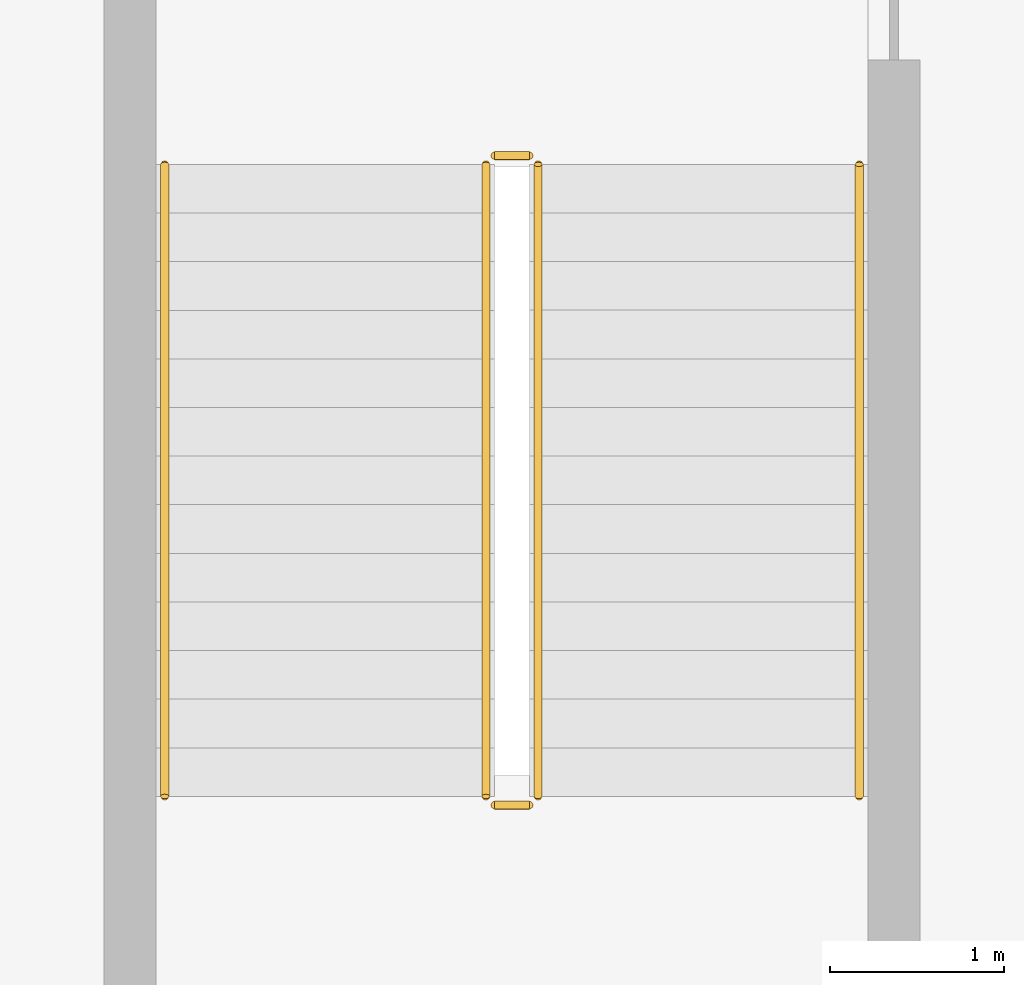
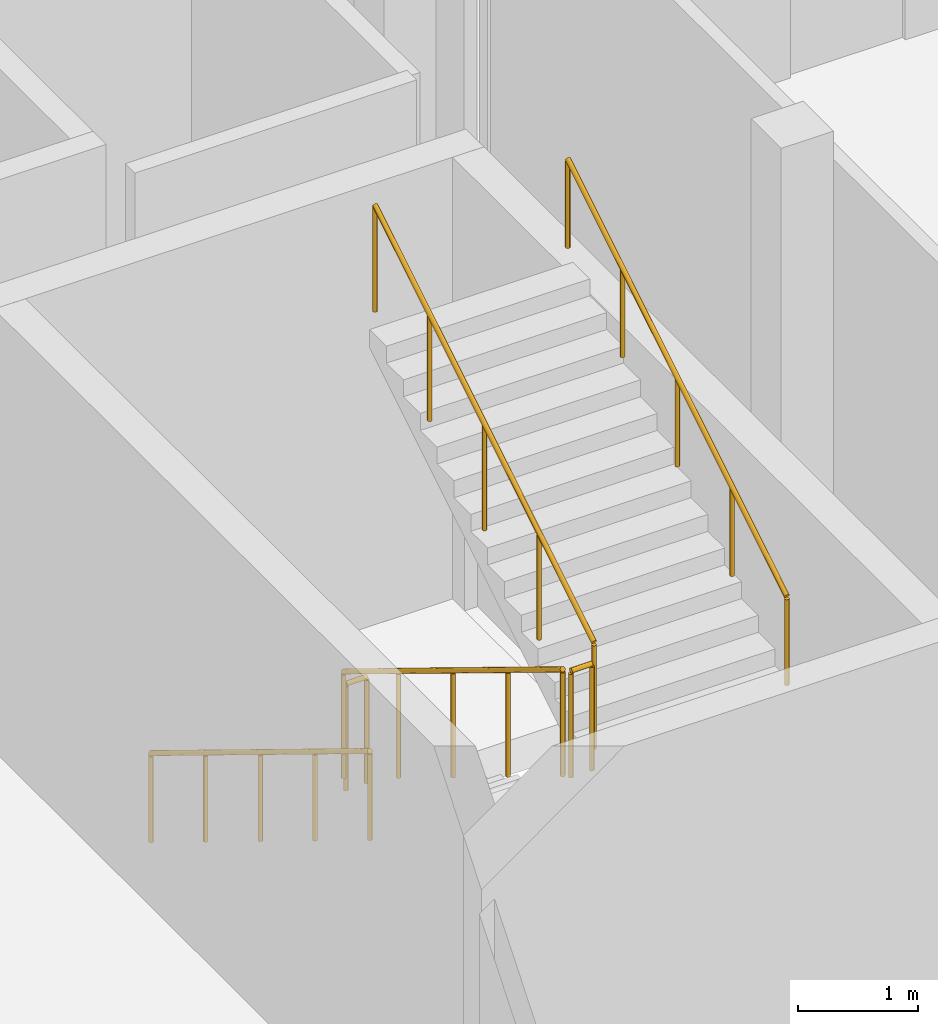
# One storey, part 167 of 177: 6 railings.
"""IFC4 building model written with IfcOpenShell, lengths in metres."""

import ifcopenshell
import ifcopenshell.guid

model = None  # the IFC model being written
_history = None  # IfcOwnerHistory: only IFC2X3 demands one
_inside = {}  # id of a spatial element -> (the spatial element, [elements in it])
_under = {}  # id of a project, library or spatial element -> (it, [spatial elements below it])
_declared = {}  # id of a project -> (the project, [libraries it declares])
_typed = {}  # id of a type object -> (the type object, [elements of that type])
_made_of = {}  # id of a material, layer set ... -> (it, [elements and type objects made of it])


def new_model(schema):
    """Start an empty IFC model of exactly this schema.

    Asked for "IFC4X3", IfcOpenShell would pick the latest addendum, in which some entities
    have other attributes; the version numbers below select the first issue.
    IFC2X3 requires an IfcOwnerHistory on every rooted entity: one is made here for all.
    """
    global model, _history
    if schema == "IFC4X3":
        model = ifcopenshell.file(schema_version=(4, 3, 0, 0))
    else:
        model = ifcopenshell.file(schema=schema)
    _inside.clear()
    _under.clear()
    _declared.clear()
    _typed.clear()
    _made_of.clear()
    _history = None
    if model.schema == "IFC2X3":
        org = make("IfcOrganization", Name="unknown")
        user = make(
            "IfcPersonAndOrganization",
            ThePerson=make("IfcPerson", FamilyName="unknown"),
            TheOrganization=org,
        )
        app = make(
            "IfcApplication",
            ApplicationDeveloper=org,
            Version="unknown",
            ApplicationFullName="unknown",
            ApplicationIdentifier="unknown",
        )
        _history = make(
            "IfcOwnerHistory",
            OwningUser=user,
            OwningApplication=app,
            ChangeAction="ADDED",
            CreationDate=0,
        )
    return model


def make(cls, **values):
    """One entity of the class cls with the attributes given. An attribute that is None is left unset."""
    return model.create_entity(
        cls, **{name: value for name, value in values.items() if value is not None}
    )


def rooted(cls, **values):
    """An entity with a GlobalId (a new one), such as an element, a storey or a relation."""
    return make(cls, GlobalId=ifcopenshell.guid.new(), OwnerHistory=_history, **values)


def si_unit(unit_type, name, prefix=None):
    """IfcSIUnit, for example si_unit("LENGTHUNIT", "METRE", prefix="MILLI")."""
    return make("IfcSIUnit", UnitType=unit_type, Prefix=prefix, Name=name)


def assignment(units):
    """IfcUnitAssignment: the units of a project."""
    return None if units is None else make("IfcUnitAssignment", Units=units)


def point(xyz):
    """IfcCartesianPoint."""
    return None if xyz is None else make("IfcCartesianPoint", Coordinates=xyz)


def direction(xyz):
    """IfcDirection."""
    return None if xyz is None else make("IfcDirection", DirectionRatios=xyz)


def frame(location, z_axis=None, x_axis=None):
    """IfcAxis2Placement3D, a coordinate frame: its origin and axes. An axis left out is left unset."""
    return make(
        "IfcAxis2Placement3D",
        Location=point(location),
        Axis=direction(z_axis),
        RefDirection=direction(x_axis),
    )


def frame_2d(location, x_axis=None):
    """IfcAxis2Placement2D, a coordinate frame in the plane: its origin and x axis."""
    return make(
        "IfcAxis2Placement2D", Location=point(location), RefDirection=direction(x_axis)
    )


def origin():
    """The frame at (0, 0, 0) with its axes left unset."""
    return frame((0.0, 0.0, 0.0))


def origin_2d():
    """The frame at (0, 0) in the plane with its x axis left unset."""
    return frame_2d((0.0, 0.0))


def place(relative_to, where):
    """IfcLocalPlacement: puts the frame where relative to a parent placement (None: the world)."""
    return make(
        "IfcLocalPlacement", PlacementRelTo=relative_to, RelativePlacement=where
    )


def context(
    kind, dimensions, precision=None, world=None, true_north=None, identifier=None
):
    """IfcGeometricRepresentationContext, for example the 3D "Model" context."""
    return make(
        "IfcGeometricRepresentationContext",
        ContextIdentifier=identifier,
        ContextType=kind,
        CoordinateSpaceDimension=dimensions,
        Precision=precision,
        WorldCoordinateSystem=world,
        TrueNorth=true_north,
    )


def subcontext(parent, identifier, kind, view, scale=None):
    """IfcGeometricRepresentationSubContext, for example "Body" below "Model"."""
    return make(
        "IfcGeometricRepresentationSubContext",
        ContextIdentifier=identifier,
        ContextType=kind,
        ParentContext=parent,
        TargetScale=scale,
        TargetView=view,
    )


def project(units=None, contexts=None):
    """IfcProject with its units and contexts."""
    return rooted(
        "IfcProject",
        Name="project",
        RepresentationContexts=contexts,
        UnitsInContext=assignment(units),
    )


def spatial(cls, under=None, at=None, **own):
    """A site, building, storey or space (cls), placed at a placement, below another one or the project."""
    s = rooted(cls, ObjectPlacement=at, **own)
    if under is not None:
        _under.setdefault(under.id(), (under, []))[1].append(s)
    return s


def profile(cls, at=None, kind="AREA", **sizes):
    """A parametric profile (cls). Its sizes go by their IFC names, for example OverallWidth=200.0."""
    return make(cls, ProfileType=kind, Position=at, **sizes)


def circle(**sizes):
    """IfcCircleProfileDef."""
    return profile("IfcCircleProfileDef", **sizes)


def extrude(swept, where, along, depth):
    """IfcExtrudedAreaSolid: the profile swept, set in the frame where, extruded along a direction by depth."""
    return make(
        "IfcExtrudedAreaSolid",
        SweptArea=swept,
        Position=where,
        ExtrudedDirection=direction(along),
        Depth=depth,
    )


def shape(context_of_items, identifier, shape_type, items):
    """IfcShapeRepresentation: the items that make up one representation, for example the "Body"."""
    return make(
        "IfcShapeRepresentation",
        ContextOfItems=context_of_items,
        RepresentationIdentifier=identifier,
        RepresentationType=shape_type,
        Items=items,
    )


def material(Name=None, Category=None):
    """IfcMaterial."""
    return make("IfcMaterial", Name=Name, Category=Category)


def layer(
    of_material, thickness, ventilated=None, Name=None, Category=None, Priority=None
):
    """IfcMaterialLayer: one layer of a wall or slab, of a material (None: an air gap)."""
    return make(
        "IfcMaterialLayer",
        Material=of_material,
        LayerThickness=thickness,
        IsVentilated=ventilated,
        Name=Name,
        Category=Category,
        Priority=Priority,
    )


def layer_set(layers, Name=None):
    """IfcMaterialLayerSet."""
    return make("IfcMaterialLayerSet", MaterialLayers=layers, LayerSetName=Name)


def made_of(thing, what):
    """Note that an element or type object is made of a material, layer set ...; save() writes the relation."""
    if what is not None:
        _made_of.setdefault(what.id(), (what, []))[1].append(thing)
    return thing


def type_object(cls, material=None, **own):
    """A type object (cls), such as IfcWallType, which elements share."""
    return made_of(rooted(cls, **own), material)


def element(
    cls,
    number,
    at=None,
    inside=None,
    cuts=None,
    type_object=None,
    material=None,
    context=None,
    identifier="Body",
    shape_type=None,
    held_by="IfcProductDefinitionShape",
    body=None,
    shapes=None,
    **own,
):
    """One element of the class cls, such as IfcWall. Its Tag is "e" and its number.

    at: its placement. inside: the storey or other place that contains it. cuts: it is an
    opening in that element (IfcRelVoidsElement). A single representation is given by context,
    identifier, shape_type and body (its items); several are given by shapes. held_by: the class
    of the entity that holds the representations. save() writes the other relations.
    """
    e = rooted(cls, Tag="e%d" % number, ObjectPlacement=at, **own)
    if body is not None:
        shapes = [shape(context, identifier, shape_type, body)]
    if shapes is not None:
        e.Representation = make(held_by, Representations=shapes)
    if inside is not None:
        _inside.setdefault(inside.id(), (inside, []))[1].append(e)
    if cuts is not None:
        rooted(
            "IfcRelVoidsElement", RelatingBuildingElement=cuts, RelatedOpeningElement=e
        )
    if type_object is not None:
        _typed.setdefault(type_object.id(), (type_object, []))[1].append(e)
    return made_of(e, material)


def aggregate(whole, parts):
    """IfcRelAggregates: a whole, such as a stair, and the parts it consists of."""
    return rooted("IfcRelAggregates", RelatingObject=whole, RelatedObjects=parts)


def save(model, path):
    """Write the relations noted so far, then the file.

    IfcRelAggregates (storeys below a building ...), IfcRelContainedInSpatialStructure (elements
    in a storey), IfcRelDefinesByType, IfcRelAssociatesMaterial and IfcRelDeclares: one each for
    every whole, place, type object, material and project.
    """
    for whole, parts in _under.values():
        aggregate(whole, parts)
    for where, things in _inside.values():
        rooted(
            "IfcRelContainedInSpatialStructure",
            RelatedElements=things,
            RelatingStructure=where,
        )
    for kind, things in _typed.values():
        rooted("IfcRelDefinesByType", RelatedObjects=things, RelatingType=kind)
    for what, things in _made_of.values():
        rooted("IfcRelAssociatesMaterial", RelatedObjects=things, RelatingMaterial=what)
    for by, libraries in _declared.values():
        rooted("IfcRelDeclares", RelatingContext=by, RelatedDefinitions=libraries)
    model.write(path)


model = new_model("IFC4")

# Units and contexts
model_context = context("Model", 3, precision=1e-05, world=origin(), true_north=direction((0.0, 1.0)))
body_context = subcontext(model_context, "Body", "Model", "MODEL_VIEW")
ifc_project = project(units=[si_unit("LENGTHUNIT", "METRE"), si_unit("AREAUNIT", "SQUARE_METRE"), si_unit("VOLUMEUNIT", "CUBIC_METRE"), si_unit("PLANEANGLEUNIT", "RADIAN"), si_unit("MASSUNIT", "GRAM", prefix="KILO")], contexts=[model_context])

# Site, building, storey
site_placement = place(None, origin())
site = spatial("IfcSite", under=ifc_project, at=site_placement, CompositionType="ELEMENT")
building_placement = place(site_placement, origin())
building = spatial("IfcBuilding", under=site, at=building_placement, Name="Chiffa Square Polytechnic", CompositionType="ELEMENT")
storey_placement = place(building_placement, frame((0.0, 0.0, 4.800048828125)))
storey = spatial("IfcBuildingStorey", under=building, at=storey_placement, Name="L01", CompositionType="ELEMENT", Elevation=4.800048828125)

# Railings
ifc_material = material(Name="Steel S355", Category="steel")
ifc_layer_1 = layer(ifc_material, 0.050048828125, Name="Steel S355")
ifc_layer_set_1 = layer_set([ifc_layer_1], Name="Steel S355")
railing_type_1 = type_object("IfcRailingType", Name="RL-STAIR-GUARD", PredefinedType="GUARDRAIL", material=ifc_layer_set_1)
railing_1_placement = place(storey_placement, frame((19.35009765625, 50.39990234375, 0.17138671875)))
element("IfcRailing", 1, at=railing_1_placement, inside=storey, type_object=railing_type_1, Name="L01 ST-V6A stair guard 1", PredefinedType="GUARDRAIL", context=body_context, shape_type="SweptSolid", body=[
    extrude(circle(Radius=0.02392578125, at=origin_2d()), frame((0.0, 0.0, 1.076171875), z_axis=(0.0, -0.852850264322, 0.5221555579), x_axis=(1.0, 0.0, 0.0)), (0.0, 0.0, 1.0), 4.267822265625),
    extrude(circle(Radius=0.02099609375, at=origin_2d()), origin(), (0.0, 0.0, 1.0), 1.052001953125),
    extrude(circle(Radius=0.02099609375, at=origin_2d()), frame((0.0, -0.909912109375, 0.55712890625)), (0.0, 0.0, 1.0), 1.052001953125),
    extrude(circle(Radius=0.02099609375, at=origin_2d()), frame((0.0, -1.81982421875, 1.1142578125)), (0.0, 0.0, 1.0), 1.052001953125),
    extrude(circle(Radius=0.02099609375, at=origin_2d()), frame((0.0, -2.72998046875, 1.67138671875)), (0.0, 0.0, 1.0), 1.052001953125),
    extrude(circle(Radius=0.02099609375, at=origin_2d()), frame((0.0, -3.639892578125, 2.228515625)), (0.0, 0.0, 1.0), 1.052001953125),
])
railing_2_placement = place(storey_placement, frame((19.39990234375, 46.7099609375, 2.39990234375)))
element("IfcRailing", 2, at=railing_2_placement, inside=storey, type_object=railing_type_1, Name="L01 ST-V6A stair guard 2", PredefinedType="GUARDRAIL", context=body_context, shape_type="SweptSolid", body=[
    extrude(circle(Radius=0.02392578125, at=origin_2d()), frame((0.0, 0.0, 1.076171875), z_axis=(1.0, 0.0, 0.0), x_axis=(0.0, 1.0, 0.0)), (0.0, 0.0, 1.0), 0.2001953125),
    extrude(circle(Radius=0.02099609375, at=origin_2d()), origin(), (0.0, 0.0, 1.0), 1.052001953125),
    extrude(circle(Radius=0.02099609375, at=origin_2d()), frame((0.2001953125, 0.0, 0.0)), (0.0, 0.0, 1.0), 1.052001953125),
])
railing_3_placement = place(storey_placement, frame((19.64990234375, 46.760009765625, 2.5712890625)))
element("IfcRailing", 3, at=railing_3_placement, inside=storey, type_object=railing_type_1, Name="L01 ST-V6A stair guard 3", PredefinedType="GUARDRAIL", context=body_context, shape_type="SweptSolid", body=[
    extrude(circle(Radius=0.02392578125, at=origin_2d()), frame((0.0, 0.0, 1.076171875), z_axis=(0.0, 0.852824790078, 0.522197163366), x_axis=(-1.0, 0.0, 0.0)), (0.0, 0.0, 1.0), 4.26806640625),
    extrude(circle(Radius=0.02099609375, at=origin_2d()), origin(), (0.0, 0.0, 1.0), 1.052001953125),
    extrude(circle(Radius=0.02099609375, at=origin_2d()), frame((0.0, 0.909912109375, 0.55712890625)), (0.0, 0.0, 1.0), 1.052001953125),
    extrude(circle(Radius=0.02099609375, at=origin_2d()), frame((0.0, 1.81982421875, 1.1142578125)), (0.0, 0.0, 1.0), 1.052001953125),
    extrude(circle(Radius=0.02099609375, at=origin_2d()), frame((0.0, 2.72998046875, 1.671630859375)), (0.0, 0.0, 1.0), 1.052001953125),
    extrude(circle(Radius=0.02099609375, at=origin_2d()), frame((0.0, 3.639892578125, 2.228759765625)), (0.0, 0.0, 1.0), 1.052001953125),
])
railing_4_placement = place(storey_placement, frame((19.39990234375, 50.449951171875, 0.0)))
element("IfcRailing", 4, at=railing_4_placement, inside=storey, type_object=railing_type_1, Name="L01 ST-V6A stair guard 4", PredefinedType="GUARDRAIL", context=body_context, shape_type="SweptSolid", body=[
    extrude(circle(Radius=0.02392578125, at=origin_2d()), frame((0.0, 0.0, 1.076171875), z_axis=(1.0, 0.0, 0.0), x_axis=(0.0, 1.0, 0.0)), (0.0, 0.0, 1.0), 0.2001953125),
    extrude(circle(Radius=0.02099609375, at=origin_2d()), origin(), (0.0, 0.0, 1.0), 1.052001953125),
    extrude(circle(Radius=0.02099609375, at=origin_2d()), frame((0.2001953125, 0.0, 0.0)), (0.0, 0.0, 1.0), 1.052001953125),
])
ifc_layer_2 = layer(ifc_material, 0.044921875, Name="Steel S355")
ifc_layer_set_2 = layer_set([ifc_layer_2], Name="Steel S355")
railing_type_2 = type_object("IfcRailingType", Name="RL-STAIR-HAND", PredefinedType="HANDRAIL", material=ifc_layer_set_2)
railing_5_placement = place(storey_placement, frame((17.5, 50.39990234375, 0.17138671875)))
element("IfcRailing", 5, at=railing_5_placement, inside=storey, type_object=railing_type_2, Name="L01 ST-V6A stair handrail 1", PredefinedType="HANDRAIL", context=body_context, shape_type="SweptSolid", body=[
    extrude(circle(Radius=0.02392578125, at=origin_2d()), frame((0.0, 0.0, 0.89599609375), z_axis=(0.0, -0.852850264322, 0.5221555579), x_axis=(1.0, 0.0, 0.0)), (0.0, 0.0, 1.0), 4.267822265625),
    extrude(circle(Radius=0.02099609375, at=origin_2d()), origin(), (0.0, 0.0, 1.0), 0.871826171875),
    extrude(circle(Radius=0.02099609375, at=origin_2d()), frame((0.0, -0.909912109375, 0.55712890625)), (0.0, 0.0, 1.0), 0.871826171875),
    extrude(circle(Radius=0.02099609375, at=origin_2d()), frame((0.0, -1.81982421875, 1.1142578125)), (0.0, 0.0, 1.0), 0.871826171875),
    extrude(circle(Radius=0.02099609375, at=origin_2d()), frame((0.0, -2.72998046875, 1.67138671875)), (0.0, 0.0, 1.0), 0.871826171875),
    extrude(circle(Radius=0.02099609375, at=origin_2d()), frame((0.0, -3.639892578125, 2.228515625)), (0.0, 0.0, 1.0), 0.871826171875),
])
railing_6_placement = place(storey_placement, frame((21.5, 46.760009765625, 2.5712890625)))
element("IfcRailing", 6, at=railing_6_placement, inside=storey, type_object=railing_type_2, Name="L01 ST-V6A stair handrail 2", PredefinedType="HANDRAIL", context=body_context, shape_type="SweptSolid", body=[
    extrude(circle(Radius=0.02392578125, at=origin_2d()), frame((0.0, 0.0, 0.89599609375), z_axis=(0.0, 0.852824790078, 0.522197163366), x_axis=(-1.0, 0.0, 0.0)), (0.0, 0.0, 1.0), 4.26806640625),
    extrude(circle(Radius=0.02099609375, at=origin_2d()), origin(), (0.0, 0.0, 1.0), 0.871826171875),
    extrude(circle(Radius=0.02099609375, at=origin_2d()), frame((0.0, 0.909912109375, 0.55712890625)), (0.0, 0.0, 1.0), 0.871826171875),
    extrude(circle(Radius=0.02099609375, at=origin_2d()), frame((0.0, 1.81982421875, 1.1142578125)), (0.0, 0.0, 1.0), 0.871826171875),
    extrude(circle(Radius=0.02099609375, at=origin_2d()), frame((0.0, 2.72998046875, 1.671630859375)), (0.0, 0.0, 1.0), 0.871826171875),
    extrude(circle(Radius=0.02099609375, at=origin_2d()), frame((0.0, 3.639892578125, 2.228759765625)), (0.0, 0.0, 1.0), 0.871826171875),
])

save(model, "model.ifc")
